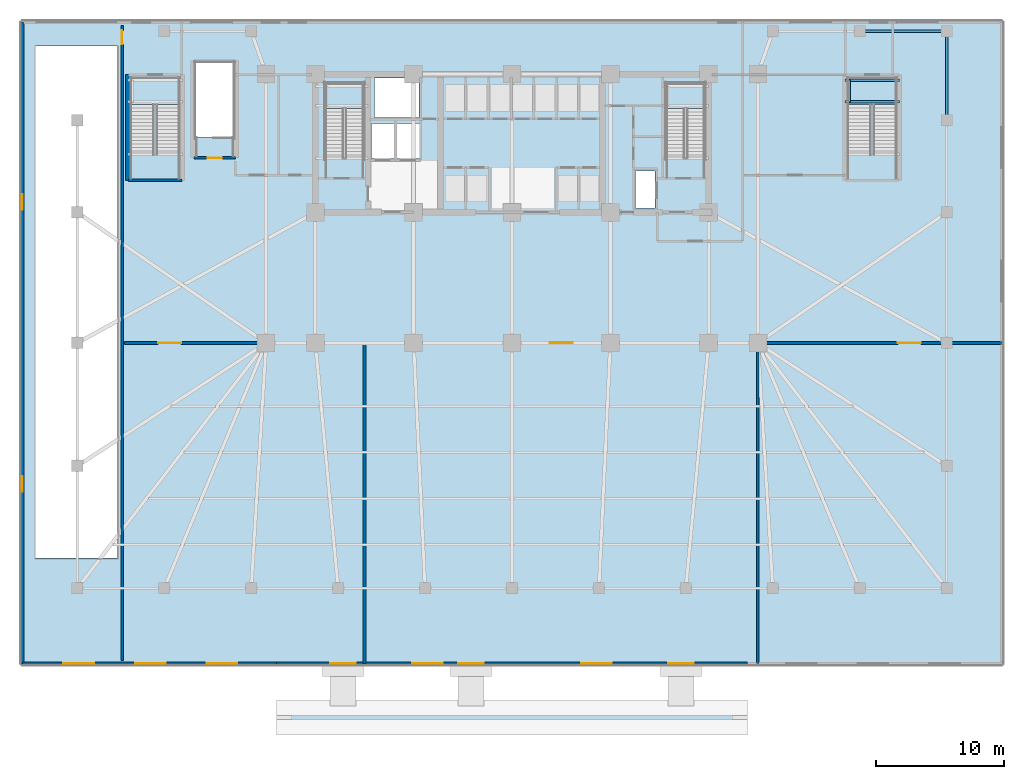
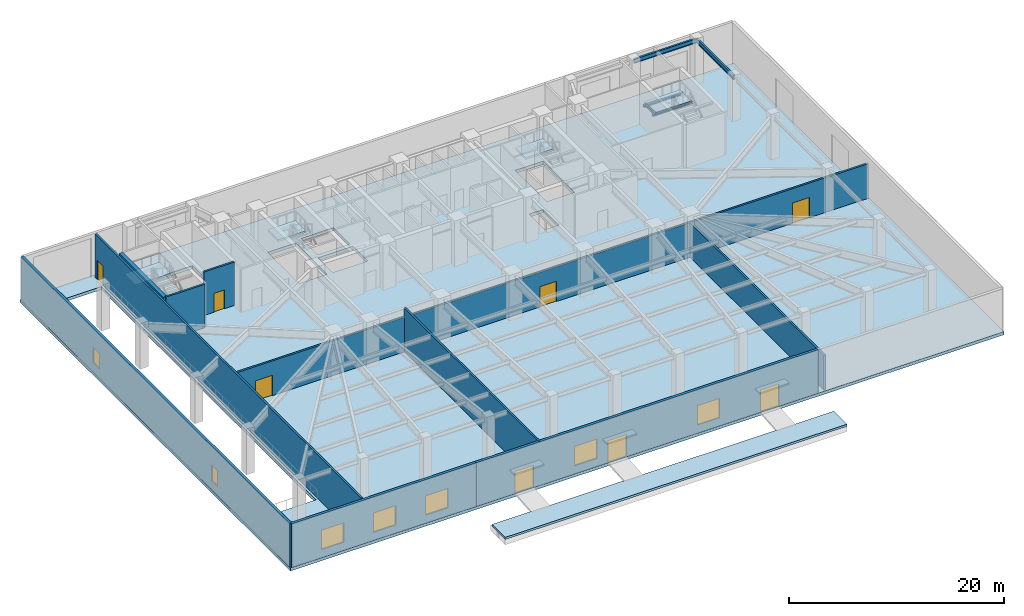
# One storey, part 3 of 15: 10 walls, 8 doors, 7 windows, 6 slabs, 5 beams, 15 openings, 4 elements without a shape of their own.
"""IFC4 building model written with IfcOpenShell, lengths in metres."""

from ifc_helpers import new_model, si_unit, direction, frame, frame_2d, origin, origin_2d, place, context, subcontext, project, spatial, polyline, rectangle, i_section, outline, extrude, material, layer, layer_set, material_profile, profile_set, type_object, element, fill, aggregate, save


model = new_model("IFC4")

# Units and contexts
model_context = context("Model", 3, precision=1e-05, world=origin(), true_north=direction((0.0, 1.0)))
body_context = subcontext(model_context, "Body", "Model", "MODEL_VIEW")
ifc_project = project(units=[si_unit("LENGTHUNIT", "METRE"), si_unit("AREAUNIT", "SQUARE_METRE"), si_unit("VOLUMEUNIT", "CUBIC_METRE"), si_unit("PLANEANGLEUNIT", "RADIAN"), si_unit("MASSUNIT", "GRAM", prefix="KILO")], contexts=[model_context])

# Site, building, storey
site_placement = place(None, origin())
site = spatial("IfcSite", under=ifc_project, at=site_placement, CompositionType="ELEMENT")
building_placement = place(site_placement, origin())
building = spatial("IfcBuilding", under=site, at=building_placement, Name="Yelkora Congress Tower", CompositionType="ELEMENT")
storey_placement = place(building_placement, origin())
storey = spatial("IfcBuildingStorey", under=building, at=storey_placement, Name="L00", CompositionType="ELEMENT", Elevation=0.0)

# Beams
ifc_material_1 = material(Name="Steel S355J2", Category="steel")
ifc_material_profile_1 = material_profile(ifc_material_1, i_section(OverallWidth=0.199951171875, OverallDepth=0.18994140625, WebThickness=0.006591796875, FlangeThickness=0.010009765625, FilletRadius=0.01806640625, at=origin_2d()), Name="HEA 200")
ifc_profile_set_1 = profile_set([ifc_material_profile_1], Name="Steel S355J2")
beam_type_1 = type_object("IfcBeamType", Name="BM-LAND-HEA200", PredefinedType="BEAM", material=ifc_profile_set_1)
for number, where, z_axis, x_axis, name in (
    (1, (64.39990234375, 44.0400390625, 2.28466796875), (1.0, 0.0, 0.0), (0.0, 1.0, 0.0), "ST-P2 L00 Landing Header Beam 1S"),
    (2, (64.39990234375, 45.72998046875, 2.28466796875), (1.0, 0.0, 0.0), (0.0, 1.0, 0.0), "ST-P2 L00 Landing Header Beam 1N"),
):
    element("IfcBeam", number, at=place(storey_placement, frame(where, z_axis=z_axis, x_axis=x_axis)), inside=storey, type_object=beam_type_1, Name=name, PredefinedType="BEAM", context=body_context, shape_type="SweptSolid", body=[
        extrude(i_section(OverallWidth=0.199951171875, OverallDepth=0.18994140625, WebThickness=0.006591796875, FlangeThickness=0.010009765625, FilletRadius=0.01806640625, at=origin_2d()), origin(), (0.0, 0.0, 1.0), 4.260009765625),
    ])
beam_1_placement = place(storey_placement, frame((64.719970703125, 44.0400390625, 2.28466796875), z_axis=(0.0, 1.0, 0.0), x_axis=(-1.0, 0.0, 0.0)))
element("IfcBeam", 3, at=beam_1_placement, inside=storey, type_object=beam_type_1, Name="ST-P2 L00 Landing Trimmer Beam 1M", PredefinedType="BEAM", context=body_context, shape_type="SweptSolid", body=[
    extrude(i_section(OverallWidth=0.199951171875, OverallDepth=0.18994140625, WebThickness=0.006591796875, FlangeThickness=0.010009765625, FilletRadius=0.01806640625, at=origin_2d()), origin(), (0.0, 0.0, 1.0), 1.68994140625),
])
ifc_material_profile_2 = material_profile(ifc_material_1, i_section(OverallWidth=0.199951171875, OverallDepth=0.5, WebThickness=0.01025390625, FlangeThickness=0.01611328125, FilletRadius=0.02099609375, at=origin_2d()), Name="IPE 500")
ifc_profile_set_2 = profile_set([ifc_material_profile_2], Name="Steel S355J2")
beam_type_2 = type_object("IfcBeamType", Name="BM-SPAN-IPE500B", PredefinedType="BEAM", material=ifc_profile_set_2)
beam_2_placement = place(storey_placement, frame((72.35009765625, 42.60009765625, 4.68994140625), z_axis=(0.0, 1.0, 0.0), x_axis=(-1.0, 0.0, 0.0)))
element("IfcBeam", 4, at=beam_2_placement, inside=storey, type_object=beam_type_2, Name="L00 Perimeter Beam 16", PredefinedType="BEAM", context=body_context, shape_type="SweptSolid", body=[
    extrude(i_section(OverallWidth=0.199951171875, OverallDepth=0.5, WebThickness=0.01025390625, FlangeThickness=0.01611328125, FilletRadius=0.02099609375, at=origin_2d()), origin(), (0.0, 0.0, 1.0), 6.949951171875),
])
beam_3_placement = place(storey_placement, frame((72.35009765625, 49.550048828125, 4.68994140625), z_axis=(-1.0, 0.0, 0.0), x_axis=(0.0, -1.0, 0.0)))
element("IfcBeam", 5, at=beam_3_placement, inside=storey, type_object=beam_type_2, Name="L00 Perimeter Beam 17", PredefinedType="BEAM", context=body_context, shape_type="SweptSolid", body=[
    extrude(i_section(OverallWidth=0.199951171875, OverallDepth=0.5, WebThickness=0.01025390625, FlangeThickness=0.01611328125, FilletRadius=0.02099609375, at=origin_2d()), origin(), (0.0, 0.0, 1.0), 6.7900390625),
])

# Slab
ifc_material_2 = material(Name="Concrete C50/60", Category="concrete")
ifc_layer_1 = layer(ifc_material_2, 0.35009765625)
ifc_layer_set_1 = layer_set([ifc_layer_1], Name="Concrete C50/60")
slab_type_1 = type_object("IfcSlabType", Name="SLAB-BSM-350", PredefinedType="FLOOR", material=ifc_layer_set_1)
slab_1_placement = place(storey_placement, frame((0.0, 0.0, -0.35009765625)))
element("IfcSlab", 6, at=slab_1_placement, inside=storey, type_object=slab_type_1, Name="L00 Structural Floor Slab", PredefinedType="FLOOR", context=body_context, shape_type="SweptSolid", body=[
    extrude(outline(polyline([(0.0, 0.0), (76.800048828125, 0.0), (76.800048828125, 50.39990234375), (0.0, 50.39990234375), (0.0, 0.0)]), holes=[polyline([(23.820068359375, 39.6298828125), (26.820068359375, 39.6298828125), (26.820068359375, 45.469970703125), (23.820068359375, 45.469970703125), (23.820068359375, 39.6298828125)]), polyline([(50.4599609375, 39.6298828125), (53.4599609375, 39.6298828125), (53.4599609375, 45.469970703125), (50.4599609375, 45.469970703125), (50.4599609375, 39.6298828125)]), polyline([(13.699951171875, 41.280029296875), (16.659912109375, 41.280029296875), (16.659912109375, 47.10009765625), (13.699951171875, 47.10009765625), (13.699951171875, 41.280029296875)]), polyline([(48.050048828125, 35.75), (49.550048828125, 35.75), (49.550048828125, 38.64990234375), (48.050048828125, 38.64990234375), (48.050048828125, 35.75)]), polyline([(27.419921875, 39.60009765625), (31.179931640625, 39.60009765625), (31.179931640625, 42.35009765625), (27.419921875, 42.35009765625), (27.419921875, 39.60009765625)]), polyline([(27.64990234375, 42.820068359375), (31.1201171875, 42.820068359375), (31.1201171875, 45.8798828125), (27.64990234375, 45.8798828125), (27.64990234375, 42.820068359375)]), polyline([(1.199951171875, 8.39990234375), (7.60009765625, 8.39990234375), (7.60009765625, 48.39990234375), (1.199951171875, 48.39990234375), (1.199951171875, 8.39990234375)])]), origin(), (0.0, 0.0, 1.0), 0.35009765625),
])

# Stair, slab
ifc_material_3 = material(Name="Concrete C40/50", Category="concrete")
stair_type_1 = type_object("IfcStairType", Name="STAIR-HT-1420-R30-173", PredefinedType="HALF_TURN_STAIR", material=ifc_material_3)
stair_1_placement = place(storey_placement, origin())
stair_1 = element("IfcStair", 7, at=stair_1_placement, inside=storey, type_object=stair_type_1, Name="West Core Protected Exit Stair ST-01 (L00)", PredefinedType="HALF_TURN_STAIR")
ifc_layer_2 = layer(ifc_material_3, 0.219970703125)
ifc_layer_set_2 = layer_set([ifc_layer_2], Name="Concrete C40/50")
slab_type_2 = type_object("IfcSlabType", Name="SLAB-LANDING-220", PredefinedType="LANDING", material=ifc_layer_set_2)
slab_2_placement = place(storey_placement, frame((0.0, 0.0, 2.3798828125)))
slab_2 = element("IfcSlab", 8, at=slab_2_placement, type_object=slab_type_2, Name="ST-01 L00 Half Landing 1", PredefinedType="LANDING", context=body_context, shape_type="SweptSolid", body=[
    extrude(outline(polyline([(26.820068359375, 43.52001953125), (26.820068359375, 45.469970703125), (23.820068359375, 45.469970703125), (23.820068359375, 43.52001953125), (26.820068359375, 43.52001953125)])), origin(), (0.0, 0.0, 1.0), 0.22021484375),
])
aggregate(stair_1, [slab_2])

stair_2_placement = place(storey_placement, origin())
stair_2 = element("IfcStair", 9, at=stair_2_placement, inside=storey, type_object=stair_type_1, Name="East Core Protected Exit Stair ST-02 (L00)", PredefinedType="HALF_TURN_STAIR")
slab_3_placement = place(storey_placement, frame((0.0, 0.0, 2.3798828125)))
slab_3 = element("IfcSlab", 10, at=slab_3_placement, type_object=slab_type_2, Name="ST-02 L00 Half Landing 1", PredefinedType="LANDING", context=body_context, shape_type="SweptSolid", body=[
    extrude(outline(polyline([(53.4599609375, 43.52001953125), (53.4599609375, 45.469970703125), (50.4599609375, 45.469970703125), (50.4599609375, 43.52001953125), (53.4599609375, 43.52001953125)])), origin(), (0.0, 0.0, 1.0), 0.22021484375),
])
aggregate(stair_2, [slab_3])

stair_type_2 = type_object("IfcStairType", Name="STAIR-HT-1850-R30-173", PredefinedType="HALF_TURN_STAIR", material=ifc_material_3)
stair_3_placement = place(storey_placement, origin())
stair_3 = element("IfcStair", 11, at=stair_3_placement, inside=storey, type_object=stair_type_2, Name="Podium Exit Stair ST-P1 (L00)", PredefinedType="HALF_TURN_STAIR")
slab_4_placement = place(storey_placement, frame((0.0, 0.0, 2.3798828125)))
slab_4 = element("IfcSlab", 12, at=slab_4_placement, type_object=slab_type_2, Name="ST-P1 L00 Half Landing 1", PredefinedType="LANDING", context=body_context, shape_type="SweptSolid", body=[
    extrude(outline(polyline([(12.4599609375, 43.820068359375), (12.4599609375, 45.949951171875), (8.60009765625, 45.949951171875), (8.60009765625, 43.820068359375), (12.4599609375, 43.820068359375)])), origin(), (0.0, 0.0, 1.0), 0.22021484375),
])
aggregate(stair_3, [slab_4])

stair_4_placement = place(storey_placement, origin())
stair_4 = element("IfcStair", 13, at=stair_4_placement, inside=storey, type_object=stair_type_2, Name="Podium Exit Stair ST-P2 (L00)", PredefinedType="HALF_TURN_STAIR")
slab_5_placement = place(storey_placement, frame((0.0, 0.0, 2.3798828125)))
slab_5 = element("IfcSlab", 14, at=slab_5_placement, type_object=slab_type_2, Name="ST-P2 L00 Half Landing 1", PredefinedType="LANDING", context=body_context, shape_type="SweptSolid", body=[
    extrude(outline(polyline([(68.4599609375, 43.820068359375), (68.4599609375, 45.949951171875), (64.60009765625, 45.949951171875), (64.60009765625, 43.820068359375), (68.4599609375, 43.820068359375)])), origin(), (0.0, 0.0, 1.0), 0.22021484375),
])
aggregate(stair_4, [slab_5])

# Slab
ifc_layer_3 = layer(ifc_material_3, 0.239990234375)
ifc_layer_set_3 = layer_set([ifc_layer_3], Name="Concrete C40/50")
slab_type_3 = type_object("IfcSlabType", Name="SLAB-TER-240", PredefinedType="FLOOR", material=ifc_layer_set_3)
slab_6_placement = place(storey_placement, frame((0.0, 0.0, -0.489990234375)))
element("IfcSlab", 15, at=slab_6_placement, inside=storey, type_object=slab_type_3, Name="L00 South Entrance Forecourt Apron Slab", PredefinedType="FLOOR", context=body_context, shape_type="SweptSolid", body=[
    extrude(outline(polyline([(20.0, -5.39990234375), (56.800048828125, -5.39990234375), (56.800048828125, -2.949951171875), (20.0, -2.949951171875), (20.0, -5.39990234375)])), origin(), (0.0, 0.0, 1.0), 0.239990234375),
])

# Wall
ifc_layer_4 = layer(ifc_material_2, 0.39990234375)
ifc_layer_set_4 = layer_set([ifc_layer_4], Name="Concrete C50/60")
wall_type_1 = type_object("IfcWallType", Name="WALL-CORE-INT-400", PredefinedType="SHEAR", material=ifc_layer_set_4)
wall_1_placement = place(storey_placement, frame((8.39990234375, 37.89990234375, 0.0), z_axis=(0.0, 0.0, 1.0), x_axis=(0.0, 1.0, 0.0)))
element("IfcWall", 16, at=wall_1_placement, inside=storey, type_object=wall_type_1, Name="L00 STP1 West Shear Wall", PredefinedType="SHEAR", context=body_context, shape_type="SweptSolid", body=[
    extrude(rectangle(XDim=8.25, YDim=0.39990234375, at=frame_2d((4.125, 0.0))), origin(), (0.0, 0.0, 1.0), 4.93994140625),
])

# Wall, openings, windows
ifc_layer_5 = layer(ifc_material_3, 0.280029296875)
ifc_layer_set_5 = layer_set([ifc_layer_5], Name="Concrete C40/50")
wall_type_2 = type_object("IfcWallType", Name="WALL-EXT-LIMESTONE-280", PredefinedType="SOLIDWALL", material=ifc_layer_set_5)
wall_2_placement = place(storey_placement, frame((0.159912109375, 0.159912109375, 0.0), z_axis=(0.0, 0.0, 1.0), x_axis=(0.0, 1.0, 0.0)))
wall_2 = element("IfcWall", 17, at=wall_2_placement, inside=storey, type_object=wall_type_2, Name="L00 Podium Limestone Wall 1", PredefinedType="SOLIDWALL", context=body_context, shape_type="SweptSolid", body=[
    extrude(rectangle(XDim=50.080078125, YDim=0.280029296875, at=frame_2d((25.0400390625, 0.0))), origin(), (0.0, 0.0, 1.0), 4.93994140625),
])
opening_1_placement = place(wall_2_placement, frame((13.42236328125, 0.0, 1.0)))
opening_1 = element("IfcOpeningElement", 18, at=opening_1_placement, cuts=wall_2, Name="Opening WN-12", PredefinedType="OPENING", context=body_context, shape_type="SweptSolid", body=[
    extrude(rectangle(XDim=1.199951171875, YDim=1.800048828125, at=frame_2d((0.60009765625, 0.89990234375))), frame((0.0, 0.14990234375, 0.0), z_axis=(0.0, -1.0, 0.0), x_axis=(1.0, 0.0, 0.0)), (0.0, 0.0, 1.0), 0.300048828125),
])
opening_2_placement = place(wall_2_placement, frame((35.45751953125, 0.0, 1.0)))
opening_2 = element("IfcOpeningElement", 19, at=opening_2_placement, cuts=wall_2, Name="Opening WN-12", PredefinedType="OPENING", context=body_context, shape_type="SweptSolid", body=[
    extrude(rectangle(XDim=1.199951171875, YDim=1.800048828125, at=frame_2d((0.60009765625, 0.89990234375))), frame((0.0, 0.14990234375, 0.0), z_axis=(0.0, -1.0, 0.0), x_axis=(1.0, 0.0, 0.0)), (0.0, 0.0, 1.0), 0.300048828125),
])
ifc_material_4 = material(Name="Thermally broken aluminium window", Category="aluminium")
window_type_1 = type_object("IfcWindowType", Name="WIN-POD-1200x1800", PartitioningType="SINGLE_PANEL", PredefinedType="WINDOW", material=ifc_material_4)
window_1_placement = place(opening_1_placement, origin())
window_1 = element("IfcWindow", 20, at=window_1_placement, inside=storey, type_object=window_type_1, Name="L00 Podium Facade Window 1-1", OverallHeight=1.800048828125, OverallWidth=1.199951171875, PartitioningType="SINGLE_PANEL", PredefinedType="WINDOW", context=body_context, shape_type="SweptSolid", body=[
    extrude(rectangle(XDim=1.199951171875, YDim=1.800048828125, at=frame_2d((0.60009765625, 0.89990234375))), frame((0.0, 0.030029296875, 0.0), z_axis=(0.0, -1.0, 0.0), x_axis=(1.0, 0.0, 0.0)), (0.0, 0.0, 1.0), 0.06005859375),
])
fill(opening_1, window_1)
window_2_placement = place(opening_2_placement, origin())
window_2 = element("IfcWindow", 21, at=window_2_placement, inside=storey, type_object=window_type_1, Name="L00 Podium Facade Window 1-2", OverallHeight=1.800048828125, OverallWidth=1.199951171875, PartitioningType="SINGLE_PANEL", PredefinedType="WINDOW", context=body_context, shape_type="SweptSolid", body=[
    extrude(rectangle(XDim=1.199951171875, YDim=1.800048828125, at=frame_2d((0.60009765625, 0.89990234375))), frame((0.0, 0.030029296875, 0.0), z_axis=(0.0, -1.0, 0.0), x_axis=(1.0, 0.0, 0.0)), (0.0, 0.0, 1.0), 0.06005859375),
])
fill(opening_2, window_2)

wall_3_placement = place(storey_placement, frame((0.159912109375, 0.159912109375, 0.0), z_axis=(0.0, 0.0, 1.0), x_axis=(1.0, 0.0, 0.0)))
wall_3 = element("IfcWall", 22, at=wall_3_placement, inside=storey, type_object=wall_type_2, Name="L00 South-West Limestone Facade Wall", PredefinedType="SOLIDWALL", context=body_context, shape_type="SweptSolid", body=[
    extrude(rectangle(XDim=19.840087890625, YDim=0.280029296875, at=frame_2d((9.919921875, 0.0))), origin(), (0.0, 0.0, 1.0), 4.93994140625),
])
opening_3_placement = place(wall_3_placement, frame((3.199951171875, 0.0, 0.89990234375)))
opening_3 = element("IfcOpeningElement", 23, at=opening_3_placement, cuts=wall_3, Name="Opening WN-24", PredefinedType="OPENING", context=body_context, shape_type="SweptSolid", body=[
    extrude(rectangle(XDim=2.39990234375, YDim=2.199951171875, at=frame_2d((1.199951171875, 1.10009765625))), frame((0.0, 0.14990234375, 0.0), z_axis=(0.0, -1.0, 0.0), x_axis=(1.0, 0.0, 0.0)), (0.0, 0.0, 1.0), 0.300048828125),
])
opening_4_placement = place(wall_3_placement, frame((8.800048828125, 0.0, 0.89990234375)))
opening_4 = element("IfcOpeningElement", 24, at=opening_4_placement, cuts=wall_3, Name="Opening WN-24", PredefinedType="OPENING", context=body_context, shape_type="SweptSolid", body=[
    extrude(rectangle(XDim=2.39990234375, YDim=2.199951171875, at=frame_2d((1.199951171875, 1.10009765625))), frame((0.0, 0.14990234375, 0.0), z_axis=(0.0, -1.0, 0.0), x_axis=(1.0, 0.0, 0.0)), (0.0, 0.0, 1.0), 0.300048828125),
])
opening_5_placement = place(wall_3_placement, frame((14.39990234375, 0.0, 0.89990234375)))
opening_5 = element("IfcOpeningElement", 25, at=opening_5_placement, cuts=wall_3, Name="Opening WN-24", PredefinedType="OPENING", context=body_context, shape_type="SweptSolid", body=[
    extrude(rectangle(XDim=2.39990234375, YDim=2.199951171875, at=frame_2d((1.199951171875, 1.10009765625))), frame((0.0, 0.14990234375, 0.0), z_axis=(0.0, -1.0, 0.0), x_axis=(1.0, 0.0, 0.0)), (0.0, 0.0, 1.0), 0.300048828125),
])
ifc_material_5 = material(Name="Thermally broken aluminium low-E window", Category="aluminium")
window_type_2 = type_object("IfcWindowType", Name="WIN-POD-2400x2200", PartitioningType="SINGLE_PANEL", PredefinedType="WINDOW", material=ifc_material_5)
window_3_placement = place(opening_3_placement, origin())
window_3 = element("IfcWindow", 26, at=window_3_placement, inside=storey, type_object=window_type_2, Name="L00 South-West Window 1", OverallHeight=2.199951171875, OverallWidth=2.39990234375, PartitioningType="SINGLE_PANEL", PredefinedType="WINDOW", context=body_context, shape_type="SweptSolid", body=[
    extrude(rectangle(XDim=2.39990234375, YDim=2.199951171875, at=frame_2d((1.199951171875, 1.10009765625))), frame((0.0, 0.030029296875, 0.0), z_axis=(0.0, -1.0, 0.0), x_axis=(1.0, 0.0, 0.0)), (0.0, 0.0, 1.0), 0.06005859375),
])
fill(opening_3, window_3)
window_4_placement = place(opening_4_placement, origin())
window_4 = element("IfcWindow", 27, at=window_4_placement, inside=storey, type_object=window_type_2, Name="L00 South-West Window 2", OverallHeight=2.199951171875, OverallWidth=2.39990234375, PartitioningType="SINGLE_PANEL", PredefinedType="WINDOW", context=body_context, shape_type="SweptSolid", body=[
    extrude(rectangle(XDim=2.39990234375, YDim=2.199951171875, at=frame_2d((1.199951171875, 1.10009765625))), frame((0.0, 0.030029296875, 0.0), z_axis=(0.0, -1.0, 0.0), x_axis=(1.0, 0.0, 0.0)), (0.0, 0.0, 1.0), 0.06005859375),
])
fill(opening_4, window_4)
window_5_placement = place(opening_5_placement, origin())
window_5 = element("IfcWindow", 28, at=window_5_placement, inside=storey, type_object=window_type_2, Name="L00 South-West Window 3", OverallHeight=2.199951171875, OverallWidth=2.39990234375, PartitioningType="SINGLE_PANEL", PredefinedType="WINDOW", context=body_context, shape_type="SweptSolid", body=[
    extrude(rectangle(XDim=2.39990234375, YDim=2.199951171875, at=frame_2d((1.199951171875, 1.10009765625))), frame((0.0, 0.030029296875, 0.0), z_axis=(0.0, -1.0, 0.0), x_axis=(1.0, 0.0, 0.0)), (0.0, 0.0, 1.0), 0.06005859375),
])
fill(opening_5, window_5)

# Wall, openings, doors, windows
wall_4_placement = place(storey_placement, frame((20.0, 0.159912109375, 0.0), z_axis=(0.0, 0.0, 1.0), x_axis=(1.0, 0.0, 0.0)))
wall_4 = element("IfcWall", 29, at=wall_4_placement, inside=storey, type_object=wall_type_2, Name="L00 Grand Congress Entrance Portal Wall", PredefinedType="SOLIDWALL", context=body_context, shape_type="SweptSolid", body=[
    extrude(rectangle(XDim=36.800048828125, YDim=0.280029296875, at=frame_2d((18.39990234375, 0.0))), origin(), (0.0, 0.0, 1.0), 4.93994140625),
])
opening_6_placement = place(wall_4_placement, frame((4.199951171875, 0.0, 0.0)))
opening_6 = element("IfcOpeningElement", 30, at=opening_6_placement, cuts=wall_4, Name="Opening DE-200", PredefinedType="OPENING", context=body_context, shape_type="SweptSolid", body=[
    extrude(rectangle(XDim=2.0, YDim=2.5, at=frame_2d((1.0, 1.25))), frame((0.0, 0.14990234375, 0.0), z_axis=(0.0, -1.0, 0.0), x_axis=(1.0, 0.0, 0.0)), (0.0, 0.0, 1.0), 0.300048828125),
])
opening_7_placement = place(wall_4_placement, frame((14.199951171875, 0.0, 0.0)))
opening_7 = element("IfcOpeningElement", 31, at=opening_7_placement, cuts=wall_4, Name="Opening DE-200", PredefinedType="OPENING", context=body_context, shape_type="SweptSolid", body=[
    extrude(rectangle(XDim=2.0, YDim=2.5, at=frame_2d((1.0, 1.25))), frame((0.0, 0.14990234375, 0.0), z_axis=(0.0, -1.0, 0.0), x_axis=(1.0, 0.0, 0.0)), (0.0, 0.0, 1.0), 0.300048828125),
])
opening_8_placement = place(wall_4_placement, frame((30.60009765625, 0.0, 0.0)))
opening_8 = element("IfcOpeningElement", 32, at=opening_8_placement, cuts=wall_4, Name="Opening DE-200", PredefinedType="OPENING", context=body_context, shape_type="SweptSolid", body=[
    extrude(rectangle(XDim=2.0, YDim=2.5, at=frame_2d((1.0, 1.25))), frame((0.0, 0.14990234375, 0.0), z_axis=(0.0, -1.0, 0.0), x_axis=(1.0, 0.0, 0.0)), (0.0, 0.0, 1.0), 0.300048828125),
])
opening_9_placement = place(wall_4_placement, frame((10.60009765625, 0.0, 0.89990234375)))
opening_9 = element("IfcOpeningElement", 33, at=opening_9_placement, cuts=wall_4, Name="Opening WN-24", PredefinedType="OPENING", context=body_context, shape_type="SweptSolid", body=[
    extrude(rectangle(XDim=2.39990234375, YDim=2.199951171875, at=frame_2d((1.199951171875, 1.10009765625))), frame((0.0, 0.14990234375, 0.0), z_axis=(0.0, -1.0, 0.0), x_axis=(1.0, 0.0, 0.0)), (0.0, 0.0, 1.0), 0.300048828125),
])
opening_10_placement = place(wall_4_placement, frame((23.800048828125, 0.0, 0.89990234375)))
opening_10 = element("IfcOpeningElement", 34, at=opening_10_placement, cuts=wall_4, Name="Opening WN-24", PredefinedType="OPENING", context=body_context, shape_type="SweptSolid", body=[
    extrude(rectangle(XDim=2.39990234375, YDim=2.199951171875, at=frame_2d((1.199951171875, 1.10009765625))), frame((0.0, 0.14990234375, 0.0), z_axis=(0.0, -1.0, 0.0), x_axis=(1.0, 0.0, 0.0)), (0.0, 0.0, 1.0), 0.300048828125),
])
ifc_material_6 = material(Name="Thermally broken aluminium and laminated glass", Category="aluminium")
door_type_1 = type_object("IfcDoorType", Name="DOOR-EXT-ENTRY-2000", OperationType="DOUBLE_DOOR_SINGLE_SWING", PredefinedType="DOOR", material=ifc_material_6)
door_1_placement = place(opening_6_placement, frame((2.0, 0.0, 0.0), z_axis=(0.0, 0.0, 1.0), x_axis=(-1.0, 0.0, 0.0)))
door_1 = element("IfcDoor", 35, at=door_1_placement, inside=storey, type_object=door_type_1, Name="L00 Main Entrance Double Door 1", OperationType="SINGLE_SWING_LEFT", OverallHeight=2.5, OverallWidth=2.0, PredefinedType="DOOR", context=body_context, shape_type="SweptSolid", body=[
    extrude(rectangle(XDim=2.0, YDim=2.5, at=frame_2d((1.0, 1.25))), frame((0.0, 0.02490234375, 0.0), z_axis=(0.0, -1.0, 0.0), x_axis=(1.0, 0.0, 0.0)), (0.0, 0.0, 1.0), 0.050048828125),
])
fill(opening_6, door_1)
door_2_placement = place(opening_7_placement, frame((2.0, 0.0, 0.0), z_axis=(0.0, 0.0, 1.0), x_axis=(-1.0, 0.0, 0.0)))
door_2 = element("IfcDoor", 36, at=door_2_placement, inside=storey, type_object=door_type_1, Name="L00 Main Entrance Double Door 2", OperationType="SINGLE_SWING_LEFT", OverallHeight=2.5, OverallWidth=2.0, PredefinedType="DOOR", context=body_context, shape_type="SweptSolid", body=[
    extrude(rectangle(XDim=2.0, YDim=2.5, at=frame_2d((1.0, 1.25))), frame((0.0, 0.02490234375, 0.0), z_axis=(0.0, -1.0, 0.0), x_axis=(1.0, 0.0, 0.0)), (0.0, 0.0, 1.0), 0.050048828125),
])
fill(opening_7, door_2)
door_3_placement = place(opening_8_placement, frame((2.0, 0.0, 0.0), z_axis=(0.0, 0.0, 1.0), x_axis=(-1.0, 0.0, 0.0)))
door_3 = element("IfcDoor", 37, at=door_3_placement, inside=storey, type_object=door_type_1, Name="L00 Main Entrance Double Door 3", OperationType="SINGLE_SWING_LEFT", OverallHeight=2.5, OverallWidth=2.0, PredefinedType="DOOR", context=body_context, shape_type="SweptSolid", body=[
    extrude(rectangle(XDim=2.0, YDim=2.5, at=frame_2d((1.0, 1.25))), frame((0.0, 0.02490234375, 0.0), z_axis=(0.0, -1.0, 0.0), x_axis=(1.0, 0.0, 0.0)), (0.0, 0.0, 1.0), 0.050048828125),
])
fill(opening_8, door_3)
window_6_placement = place(opening_9_placement, origin())
window_6 = element("IfcWindow", 38, at=window_6_placement, inside=storey, type_object=window_type_2, Name="L00 Concourse Showcase Window 1", OverallHeight=2.199951171875, OverallWidth=2.39990234375, PartitioningType="SINGLE_PANEL", PredefinedType="WINDOW", context=body_context, shape_type="SweptSolid", body=[
    extrude(rectangle(XDim=2.39990234375, YDim=2.199951171875, at=frame_2d((1.199951171875, 1.10009765625))), frame((0.0, 0.030029296875, 0.0), z_axis=(0.0, -1.0, 0.0), x_axis=(1.0, 0.0, 0.0)), (0.0, 0.0, 1.0), 0.06005859375),
])
fill(opening_9, window_6)
window_7_placement = place(opening_10_placement, origin())
window_7 = element("IfcWindow", 39, at=window_7_placement, inside=storey, type_object=window_type_2, Name="L00 Concourse Showcase Window 2", OverallHeight=2.199951171875, OverallWidth=2.39990234375, PartitioningType="SINGLE_PANEL", PredefinedType="WINDOW", context=body_context, shape_type="SweptSolid", body=[
    extrude(rectangle(XDim=2.39990234375, YDim=2.199951171875, at=frame_2d((1.199951171875, 1.10009765625))), frame((0.0, 0.030029296875, 0.0), z_axis=(0.0, -1.0, 0.0), x_axis=(1.0, 0.0, 0.0)), (0.0, 0.0, 1.0), 0.06005859375),
])
fill(opening_10, window_7)

# Wall
ifc_material_7 = material(Name="Autoclaved aerated concrete blockwork", Category="masonry")
ifc_layer_6 = layer(ifc_material_7, 0.199951171875)
ifc_layer_set_6 = layer_set([ifc_layer_6], Name="Autoclaved aerated concrete blockwork")
wall_type_3 = type_object("IfcWallType", Name="WALL-INT-200-R120", PredefinedType="PARTITIONING", material=ifc_layer_set_6)
wall_5_placement = place(storey_placement, frame((8.449951171875, 37.89990234375, 0.0), z_axis=(0.0, 0.0, 1.0), x_axis=(1.0, 0.0, 0.0)))
element("IfcWall", 40, at=wall_5_placement, inside=storey, type_object=wall_type_3, Name="L00 Partition Wall 31", PredefinedType="PARTITIONING", context=body_context, shape_type="SweptSolid", body=[
    extrude(rectangle(XDim=4.170166015625, YDim=0.199951171875, at=frame_2d((2.0849609375, 0.0))), origin(), (0.0, 0.0, 1.0), 4.93994140625),
])

# Wall, opening, door
wall_6_placement = place(storey_placement, frame((7.949951171875, 0.419921875, 0.0), z_axis=(0.0, 0.0, 1.0), x_axis=(0.0, 1.0, 0.0)))
wall_6 = element("IfcWall", 41, at=wall_6_placement, inside=storey, type_object=wall_type_3, Name="L00 Partition Wall 35", PredefinedType="PARTITIONING", context=body_context, shape_type="SweptSolid", body=[
    extrude(rectangle(XDim=49.56005859375, YDim=0.199951171875, at=frame_2d((24.780029296875, 0.0))), origin(), (0.0, 0.0, 1.0), 4.93994140625),
])
opening_11_placement = place(wall_6_placement, frame((48.10009765625, 0.0, 0.0)))
opening_11 = element("IfcOpeningElement", 42, at=opening_11_placement, cuts=wall_6, Name="Opening DR-110F9", PredefinedType="OPENING", context=body_context, shape_type="SweptSolid", body=[
    extrude(rectangle(XDim=1.10009765625, YDim=2.14990234375, at=frame_2d((0.550048828125, 1.074951171875))), frame((0.0, 0.10986328125, 0.0), z_axis=(0.0, -1.0, 0.0), x_axis=(1.0, 0.0, 0.0)), (0.0, 0.0, 1.0), 0.219970703125),
])
ifc_material_8 = material(Name="Galvanised steel fire door leaf", Category="steel")
door_type_2 = type_object("IfcDoorType", Name="DOOR-FD90-1100", OperationType="NOTDEFINED", PredefinedType="DOOR", material=ifc_material_8)
door_4_placement = place(opening_11_placement, origin())
door_4 = element("IfcDoor", 43, at=door_4_placement, inside=storey, type_object=door_type_2, Name="L00 Ramp Apron Access Door", OperationType="SINGLE_SWING_RIGHT", OverallHeight=2.14990234375, OverallWidth=1.10009765625, PredefinedType="DOOR", context=body_context, shape_type="SweptSolid", body=[
    extrude(rectangle(XDim=1.10009765625, YDim=2.14990234375, at=frame_2d((0.550048828125, 1.074951171875))), frame((0.0, 0.02490234375, 0.0), z_axis=(0.0, -1.0, 0.0), x_axis=(1.0, 0.0, 0.0)), (0.0, 0.0, 1.0), 0.050048828125),
])
fill(opening_11, door_4)

wall_7_placement = place(storey_placement, frame((13.550048828125, 39.64990234375, 0.0), z_axis=(0.0, 0.0, 1.0), x_axis=(1.0, 0.0, 0.0)))
wall_7 = element("IfcWall", 44, at=wall_7_placement, inside=storey, type_object=wall_type_3, Name="L00 Partition Wall 38", PredefinedType="PARTITIONING", context=body_context, shape_type="SweptSolid", body=[
    extrude(rectangle(XDim=3.25, YDim=0.199951171875, at=frame_2d((1.625, 0.0))), origin(), (0.0, 0.0, 1.0), 4.93994140625),
])
opening_12_placement = place(wall_7_placement, frame((1.074951171875, 0.0, 0.0)))
opening_12 = element("IfcOpeningElement", 45, at=opening_12_placement, cuts=wall_7, Name="Opening DR-110F9", PredefinedType="OPENING", context=body_context, shape_type="SweptSolid", body=[
    extrude(rectangle(XDim=1.10009765625, YDim=2.14990234375, at=frame_2d((0.550048828125, 1.074951171875))), frame((0.0, 0.10986328125, 0.0), z_axis=(0.0, -1.0, 0.0), x_axis=(1.0, 0.0, 0.0)), (0.0, 0.0, 1.0), 0.219970703125),
])
door_5_placement = place(opening_12_placement, origin())
door_5 = element("IfcDoor", 46, at=door_5_placement, inside=storey, type_object=door_type_2, Name="L00 Basement Stair Discharge Door", OperationType="SINGLE_SWING_LEFT", OverallHeight=2.14990234375, OverallWidth=1.10009765625, PredefinedType="DOOR", context=body_context, shape_type="SweptSolid", body=[
    extrude(rectangle(XDim=1.10009765625, YDim=2.14990234375, at=frame_2d((0.550048828125, 1.074951171875))), frame((0.0, 0.02490234375, 0.0), z_axis=(0.0, -1.0, 0.0), x_axis=(1.0, 0.0, 0.0)), (0.0, 0.0, 1.0), 0.050048828125),
])
fill(opening_12, door_5)

# Walls
ifc_material_9 = material(Name="Autoclaved high-density acoustic blockwork", Category="masonry")
ifc_layer_7 = layer(ifc_material_9, 0.199951171875)
ifc_layer_set_7 = layer_set([ifc_layer_7], Name="Autoclaved high-density acoustic blockwork")
wall_type_4 = type_object("IfcWallType", Name="WALL-INT-200-R90", PredefinedType="PARTITIONING", material=ifc_layer_set_7)
wall_8_placement = place(storey_placement, frame((26.8798828125, 0.179931640625, 0.0), z_axis=(0.0, 0.0, 1.0), x_axis=(0.0, 1.0, 0.0)))
element("IfcWall", 47, at=wall_8_placement, inside=storey, type_object=wall_type_4, Name="L00 Partition Wall 50", PredefinedType="PARTITIONING", context=body_context, shape_type="SweptSolid", body=[
    extrude(rectangle(XDim=25.02001953125, YDim=0.199951171875, at=frame_2d((12.510009765625, 0.0))), origin(), (0.0, 0.0, 1.0), 4.93994140625),
])
wall_9_placement = place(storey_placement, frame((57.60009765625, 0.179931640625, 0.0), z_axis=(0.0, 0.0, 1.0), x_axis=(0.0, 1.0, 0.0)))
element("IfcWall", 48, at=wall_9_placement, inside=storey, type_object=wall_type_4, Name="L00 Partition Wall 51", PredefinedType="PARTITIONING", context=body_context, shape_type="SweptSolid", body=[
    extrude(rectangle(XDim=25.02001953125, YDim=0.199951171875, at=frame_2d((12.510009765625, 0.0))), origin(), (0.0, 0.0, 1.0), 3.93505859375),
])

# Wall, openings, doors
wall_10_placement = place(storey_placement, frame((8.14990234375, 25.199951171875, 0.0), z_axis=(0.0, 0.0, 1.0), x_axis=(1.0, 0.0, 0.0)))
wall_10 = element("IfcWall", 49, at=wall_10_placement, inside=storey, type_object=wall_type_4, Name="L00 Hall Spine Wall Grid D", PredefinedType="PARTITIONING", context=body_context, shape_type="SweptSolid", body=[
    extrude(rectangle(XDim=68.570068359375, YDim=0.199951171875, at=frame_2d((34.28515625, 0.0))), origin(), (0.0, 0.0, 1.0), 3.93505859375),
])
opening_13_placement = place(wall_10_placement, frame((2.603759765625, 0.0, 0.0)))
opening_13 = element("IfcOpeningElement", 50, at=opening_13_placement, cuts=wall_10, Name="Opening DR-180D", PredefinedType="OPENING", context=body_context, shape_type="SweptSolid", body=[
    extrude(rectangle(XDim=1.800048828125, YDim=2.300048828125, at=frame_2d((0.89990234375, 1.14990234375))), frame((0.0, 0.10986328125, 0.0), z_axis=(0.0, -1.0, 0.0), x_axis=(1.0, 0.0, 0.0)), (0.0, 0.0, 1.0), 0.219970703125),
])
opening_14_placement = place(wall_10_placement, frame((33.18994140625, 0.0, 0.0)))
opening_14 = element("IfcOpeningElement", 51, at=opening_14_placement, cuts=wall_10, Name="Opening DR-180D", PredefinedType="OPENING", context=body_context, shape_type="SweptSolid", body=[
    extrude(rectangle(XDim=1.800048828125, YDim=2.300048828125, at=frame_2d((0.89990234375, 1.14990234375))), frame((0.0, 0.10986328125, 0.0), z_axis=(0.0, -1.0, 0.0), x_axis=(1.0, 0.0, 0.0)), (0.0, 0.0, 1.0), 0.219970703125),
])
opening_15_placement = place(wall_10_placement, frame((60.389892578125, 0.0, 0.0)))
opening_15 = element("IfcOpeningElement", 52, at=opening_15_placement, cuts=wall_10, Name="Opening DR-180D", PredefinedType="OPENING", context=body_context, shape_type="SweptSolid", body=[
    extrude(rectangle(XDim=1.800048828125, YDim=2.300048828125, at=frame_2d((0.89990234375, 1.14990234375))), frame((0.0, 0.10986328125, 0.0), z_axis=(0.0, -1.0, 0.0), x_axis=(1.0, 0.0, 0.0)), (0.0, 0.0, 1.0), 0.219970703125),
])
ifc_material_10 = material(Name="Acoustic double congress hall doors", Category="wood")
door_type_3 = type_object("IfcDoorType", Name="DOOR-DBL-1800", OperationType="DOUBLE_DOOR_SINGLE_SWING", PredefinedType="DOOR", material=ifc_material_10)
door_6_placement = place(opening_13_placement, origin())
door_6 = element("IfcDoor", 53, at=door_6_placement, inside=storey, type_object=door_type_3, Name="L00 Delegate Registration Hall Entrance Door", OperationType="DOUBLE_DOOR_SINGLE_SWING", OverallHeight=2.300048828125, OverallWidth=1.800048828125, PredefinedType="DOOR", context=body_context, shape_type="SweptSolid", body=[
    extrude(rectangle(XDim=1.800048828125, YDim=2.300048828125, at=frame_2d((0.89990234375, 1.14990234375))), frame((0.0, 0.02490234375, 0.0), z_axis=(0.0, -1.0, 0.0), x_axis=(1.0, 0.0, 0.0)), (0.0, 0.0, 1.0), 0.050048828125),
])
fill(opening_13, door_6)
door_7_placement = place(opening_14_placement, origin())
door_7 = element("IfcDoor", 54, at=door_7_placement, inside=storey, type_object=door_type_3, Name="L00 Exhibition Hall A Entrance Door", OperationType="DOUBLE_DOOR_SINGLE_SWING", OverallHeight=2.300048828125, OverallWidth=1.800048828125, PredefinedType="DOOR", context=body_context, shape_type="SweptSolid", body=[
    extrude(rectangle(XDim=1.800048828125, YDim=2.300048828125, at=frame_2d((0.89990234375, 1.14990234375))), frame((0.0, 0.02490234375, 0.0), z_axis=(0.0, -1.0, 0.0), x_axis=(1.0, 0.0, 0.0)), (0.0, 0.0, 1.0), 0.050048828125),
])
fill(opening_14, door_7)
door_8_placement = place(opening_15_placement, origin())
door_8 = element("IfcDoor", 55, at=door_8_placement, inside=storey, type_object=door_type_3, Name="L00 Retail & Mobility Gallery Entrance Door", OperationType="DOUBLE_DOOR_SINGLE_SWING", OverallHeight=2.300048828125, OverallWidth=1.800048828125, PredefinedType="DOOR", context=body_context, shape_type="SweptSolid", body=[
    extrude(rectangle(XDim=1.800048828125, YDim=2.300048828125, at=frame_2d((0.89990234375, 1.14990234375))), frame((0.0, 0.02490234375, 0.0), z_axis=(0.0, -1.0, 0.0), x_axis=(1.0, 0.0, 0.0)), (0.0, 0.0, 1.0), 0.050048828125),
])
fill(opening_15, door_8)

save(model, "model.ifc")
